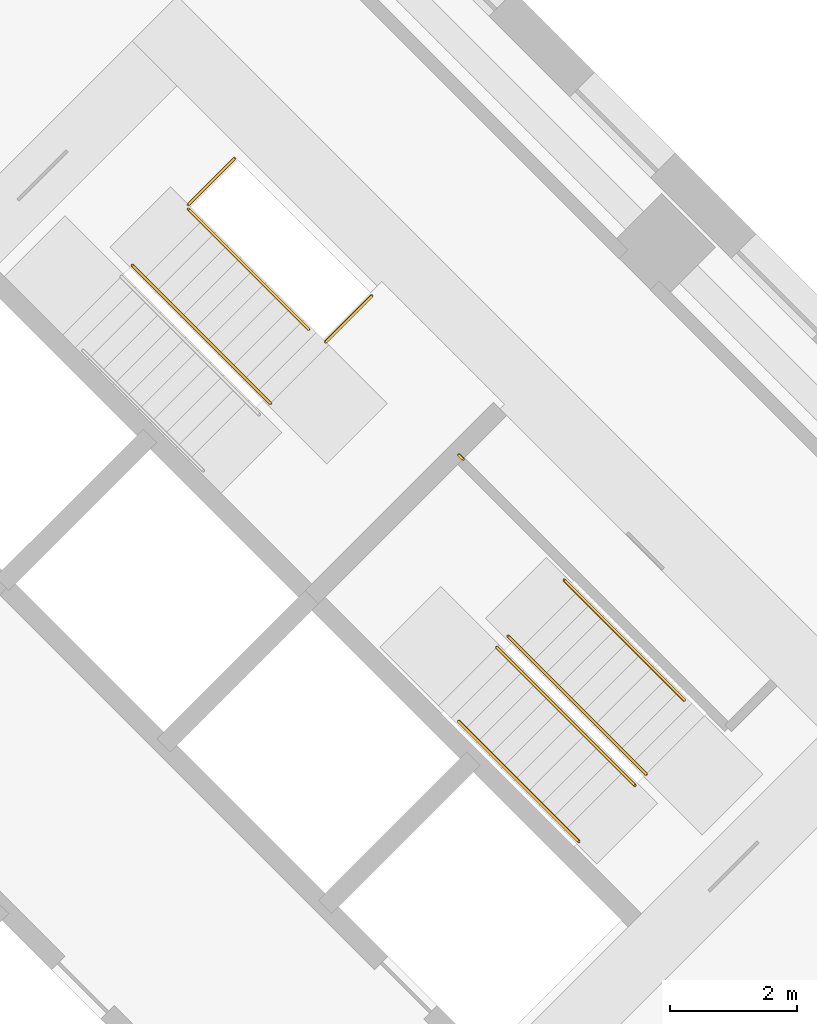
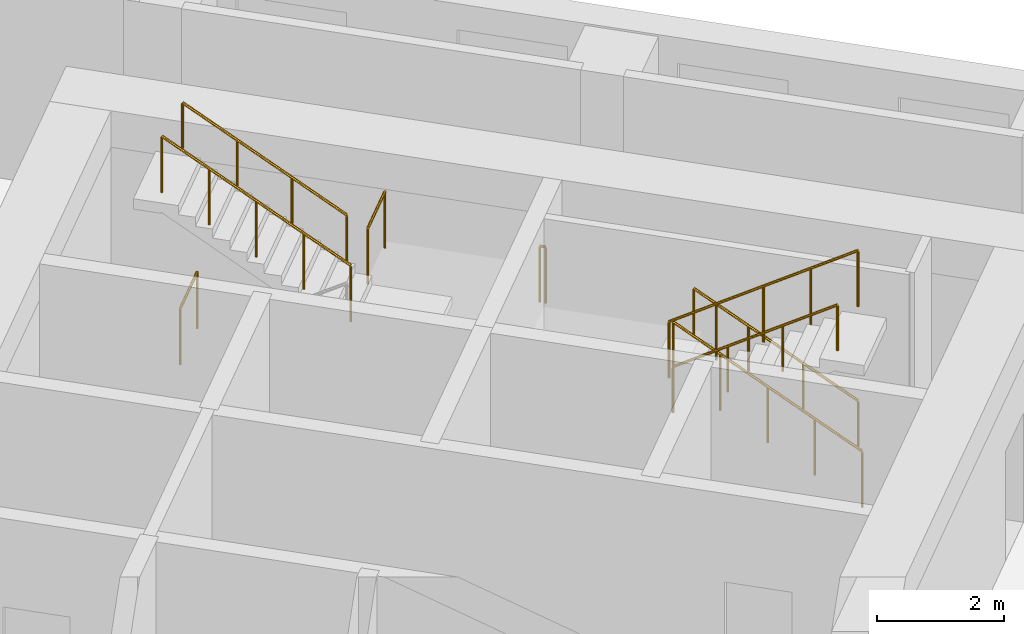
# One storey, part 14 of 14: 9 railings.
"""IFC4 building model written with IfcOpenShell, lengths in metres."""

from ifc_helpers import new_model, si_unit, direction, frame, origin, origin_2d, place, context, subcontext, project, spatial, circle, extrude, material, type_object, element, save


model = new_model("IFC4")

# Units and contexts
model_context = context("Model", 3, precision=1e-05, world=origin(), true_north=direction((0.0, 1.0)))
body_context = subcontext(model_context, "Body", "Model", "MODEL_VIEW")
ifc_project = project(units=[si_unit("LENGTHUNIT", "METRE"), si_unit("AREAUNIT", "SQUARE_METRE"), si_unit("VOLUMEUNIT", "CUBIC_METRE"), si_unit("PLANEANGLEUNIT", "RADIAN"), si_unit("MASSUNIT", "GRAM", prefix="KILO")], contexts=[model_context])

# Site, building, storey
site_placement = place(None, origin())
site = spatial("IfcSite", under=ifc_project, at=site_placement, CompositionType="ELEMENT")
building_placement = place(site_placement, origin())
building = spatial("IfcBuilding", under=site, at=building_placement, Name="Windrow Commons", CompositionType="ELEMENT")
storey_placement = place(building_placement, frame((0.0, 0.0, 10.2)))
storey = spatial("IfcBuildingStorey", under=building, at=storey_placement, Name="L02", CompositionType="ELEMENT", Elevation=10.2)

# Railings
ifc_material_1 = material(Name="Steel S355", Category="steel")
railing_type_1 = type_object("IfcRailingType", Name="Core stair guard 1100", PredefinedType="GUARDRAIL", material=ifc_material_1)
railing_1_placement = place(storey_placement, frame((88.3075, 54.2658, 2.275)))
element("IfcRailing", 1, at=railing_1_placement, inside=storey, type_object=railing_type_1, Name="L02 ST-B1 stair guard 2", PredefinedType="GUARDRAIL", context=body_context, shape_type="SweptSolid", body=[
    extrude(circle(Radius=0.024, at=origin_2d()), frame((0.0, 0.0, 1.076), z_axis=(-0.5996262107, 0.5996262107, 0.5299969951), x_axis=(-0.7071067812, -0.7071067812, 0.0)), (0.0, 0.0, 1.0), 3.6321),
    extrude(circle(Radius=0.021, at=origin_2d()), origin(), (0.0, 0.0, 1.0), 1.052),
    extrude(circle(Radius=0.021, at=origin_2d()), frame((-0.5445, 0.5445, 0.4813)), (0.0, 0.0, 1.0), 1.052),
    extrude(circle(Radius=0.021, at=origin_2d()), frame((-1.089, 1.089, 0.9625)), (0.0, 0.0, 1.0), 1.052),
    extrude(circle(Radius=0.021, at=origin_2d()), frame((-1.6334, 1.6334, 1.4438)), (0.0, 0.0, 1.0), 1.052),
    extrude(circle(Radius=0.021, at=origin_2d()), frame((-2.1779, 2.1779, 1.925)), (0.0, 0.0, 1.0), 1.052),
])
railing_2_placement = place(storey_placement, frame((87.0135, 57.3982, 0.0)))
element("IfcRailing", 2, at=railing_2_placement, inside=storey, type_object=railing_type_1, Name="L02 ST-B1 stair guard 3", PredefinedType="GUARDRAIL", context=body_context, shape_type="SweptSolid", body=[
    extrude(circle(Radius=0.024, at=origin_2d()), frame((0.0, 0.0, 1.076), z_axis=(0.7070582378, 0.7071553212, 0.0), x_axis=(-0.7071553212, 0.7070582378, 0.0)), (0.0, 0.0, 1.0), 1.03),
    extrude(circle(Radius=0.021, at=origin_2d()), origin(), (0.0, 0.0, 1.0), 1.052),
    extrude(circle(Radius=0.021, at=origin_2d()), frame((0.7283, 0.7284, 0.0)), (0.0, 0.0, 1.0), 1.052),
])
railing_3_placement = place(storey_placement, frame((89.1773, 55.2345, 2.1)))
element("IfcRailing", 3, at=railing_3_placement, inside=storey, type_object=railing_type_1, Name="L02 ST-B1 stair guard 4", PredefinedType="GUARDRAIL", context=body_context, shape_type="SweptSolid", body=[
    extrude(circle(Radius=0.024, at=origin_2d()), frame((0.0, 0.0, 1.076), z_axis=(0.7071067812, 0.7071067812, 0.0), x_axis=(-0.7071067812, 0.7071067812, 0.0)), (0.0, 0.0, 1.0), 1.03),
    extrude(circle(Radius=0.021, at=origin_2d()), origin(), (0.0, 0.0, 1.0), 1.052),
    extrude(circle(Radius=0.021, at=origin_2d()), frame((0.7283, 0.7283, 0.0)), (0.0, 0.0, 1.0), 1.052),
])
railing_4_placement = place(storey_placement, frame((94.2296, 48.4215, 0.175)))
element("IfcRailing", 4, at=railing_4_placement, inside=storey, type_object=railing_type_1, Name="L02 ST-B2 stair guard 1", PredefinedType="GUARDRAIL", context=body_context, shape_type="SweptSolid", body=[
    extrude(circle(Radius=0.024, at=origin_2d()), frame((0.0, 0.0, 1.076), z_axis=(-0.5996262107, 0.5996262107, 0.5299969951), x_axis=(-0.7071067812, -0.7071067812, 0.0)), (0.0, 0.0, 1.0), 3.6321),
    extrude(circle(Radius=0.021, at=origin_2d()), origin(), (0.0, 0.0, 1.0), 1.052),
    extrude(circle(Radius=0.021, at=origin_2d()), frame((-0.5445, 0.5445, 0.4813)), (0.0, 0.0, 1.0), 1.052),
    extrude(circle(Radius=0.021, at=origin_2d()), frame((-1.089, 1.089, 0.9625)), (0.0, 0.0, 1.0), 1.052),
    extrude(circle(Radius=0.021, at=origin_2d()), frame((-1.6334, 1.6334, 1.4438)), (0.0, 0.0, 1.0), 1.052),
    extrude(circle(Radius=0.021, at=origin_2d()), frame((-2.1779, 2.1779, 1.925)), (0.0, 0.0, 1.0), 1.052),
])
railing_5_placement = place(storey_placement, frame((91.8749, 50.4226, 2.275)))
element("IfcRailing", 5, at=railing_5_placement, inside=storey, type_object=railing_type_1, Name="L02 ST-B2 stair guard 2", PredefinedType="GUARDRAIL", context=body_context, shape_type="SweptSolid", body=[
    extrude(circle(Radius=0.024, at=origin_2d()), frame((0.0, 0.0, 1.076), z_axis=(0.5996262107, -0.5996262107, 0.5299969951), x_axis=(0.7071067812, 0.7071067812, 0.0)), (0.0, 0.0, 1.0), 3.6321),
    extrude(circle(Radius=0.021, at=origin_2d()), origin(), (0.0, 0.0, 1.0), 1.052),
    extrude(circle(Radius=0.021, at=origin_2d()), frame((0.5445, -0.5445, 0.4813)), (0.0, 0.0, 1.0), 1.052),
    extrude(circle(Radius=0.021, at=origin_2d()), frame((1.089, -1.089, 0.9625)), (0.0, 0.0, 1.0), 1.052),
    extrude(circle(Radius=0.021, at=origin_2d()), frame((1.6334, -1.6334, 1.4438)), (0.0, 0.0, 1.0), 1.052),
    extrude(circle(Radius=0.021, at=origin_2d()), frame((2.1779, -2.1779, 1.925)), (0.0, 0.0, 1.0), 1.052),
])
railing_6_placement = place(storey_placement, frame((91.3446, 53.3854, 2.1)))
element("IfcRailing", 6, at=railing_6_placement, inside=storey, type_object=railing_type_1, Name="L02 ST-B2 stair guard 3", PredefinedType="GUARDRAIL", context=body_context, shape_type="SweptSolid", body=[
    extrude(circle(Radius=0.024, at=origin_2d()), frame((0.0, 0.0, 1.076), z_axis=(-0.7076063266, 0.7066068826, 0.0), x_axis=(-0.7066068826, -0.7076063266, 0.0)), (0.0, 0.0, 1.0), 0.1001),
    extrude(circle(Radius=0.021, at=origin_2d()), origin(), (0.0, 0.0, 1.0), 1.052),
    extrude(circle(Radius=0.021, at=origin_2d()), frame((-0.0708, 0.0707, 0.0)), (0.0, 0.0, 1.0), 1.052),
])
ifc_material_2 = material(Name="Steel S355", Category="steel")
railing_type_2 = type_object("IfcRailingType", Name="Core stair handrail 900", PredefinedType="HANDRAIL", material=ifc_material_2)
for number, where, name in (
    (7, (88.9086, 55.4325, 2.525), "L02 ST-B1 stair handrail 2"),
    (8, (94.8306, 49.5883, 0.425), "L02 ST-B2 stair handrail 1"),
):
    element("IfcRailing", number, at=place(storey_placement, frame(where)), inside=storey, type_object=railing_type_2, Name=name, PredefinedType="HANDRAIL", context=body_context, shape_type="SweptSolid", body=[
        extrude(circle(Radius=0.024, at=origin_2d()), frame((0.0, 0.0, 0.876), z_axis=(-0.599641512, 0.5996098703, 0.5299981703), x_axis=(-0.7070881243, -0.7071254376, 0.0)), (0.0, 0.0, 1.0), 3.1604),
        extrude(circle(Radius=0.021, at=origin_2d()), origin(), (0.0, 0.0, 1.0), 0.852),
        extrude(circle(Radius=0.021, at=origin_2d()), frame((-0.6317, 0.6317, 0.5583)), (0.0, 0.0, 1.0), 0.852),
        extrude(circle(Radius=0.021, at=origin_2d()), frame((-1.2634, 1.2633, 1.1167)), (0.0, 0.0, 1.0), 0.852),
        extrude(circle(Radius=0.021, at=origin_2d()), frame((-1.8951, 1.895, 1.675)), (0.0, 0.0, 1.0), 0.852),
    ])
railing_7_placement = place(storey_placement, frame((91.2738, 49.2559, 2.525)))
element("IfcRailing", 9, at=railing_7_placement, inside=storey, type_object=railing_type_2, Name="L02 ST-B2 stair handrail 2", PredefinedType="HANDRAIL", context=body_context, shape_type="SweptSolid", body=[
    extrude(circle(Radius=0.024, at=origin_2d()), frame((0.0, 0.0, 0.876), z_axis=(0.599641512, -0.5996098703, 0.5299981703), x_axis=(0.7070881243, 0.7071254376, 0.0)), (0.0, 0.0, 1.0), 3.1604),
    extrude(circle(Radius=0.021, at=origin_2d()), origin(), (0.0, 0.0, 1.0), 0.852),
    extrude(circle(Radius=0.021, at=origin_2d()), frame((0.6317, -0.6317, 0.5583)), (0.0, 0.0, 1.0), 0.852),
    extrude(circle(Radius=0.021, at=origin_2d()), frame((1.2634, -1.2633, 1.1167)), (0.0, 0.0, 1.0), 0.852),
    extrude(circle(Radius=0.021, at=origin_2d()), frame((1.8951, -1.895, 1.675)), (0.0, 0.0, 1.0), 0.852),
])

save(model, "model.ifc")
